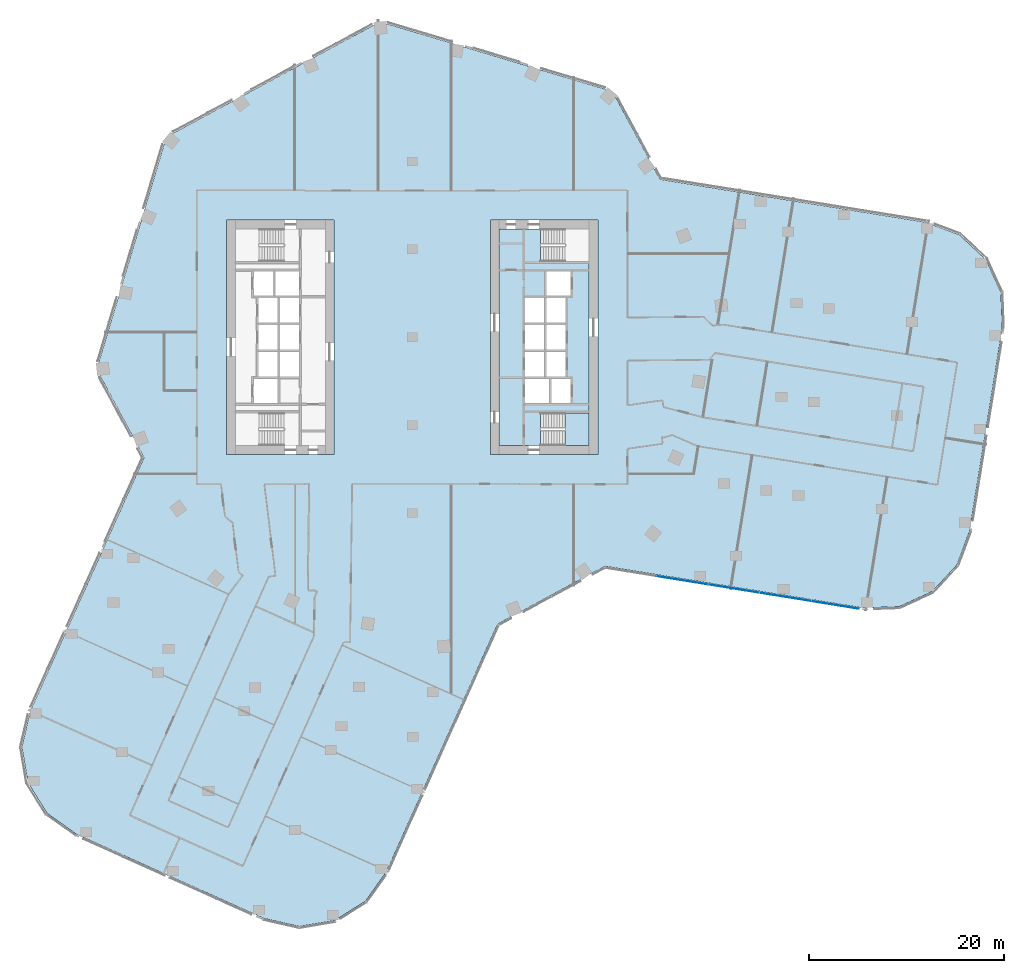
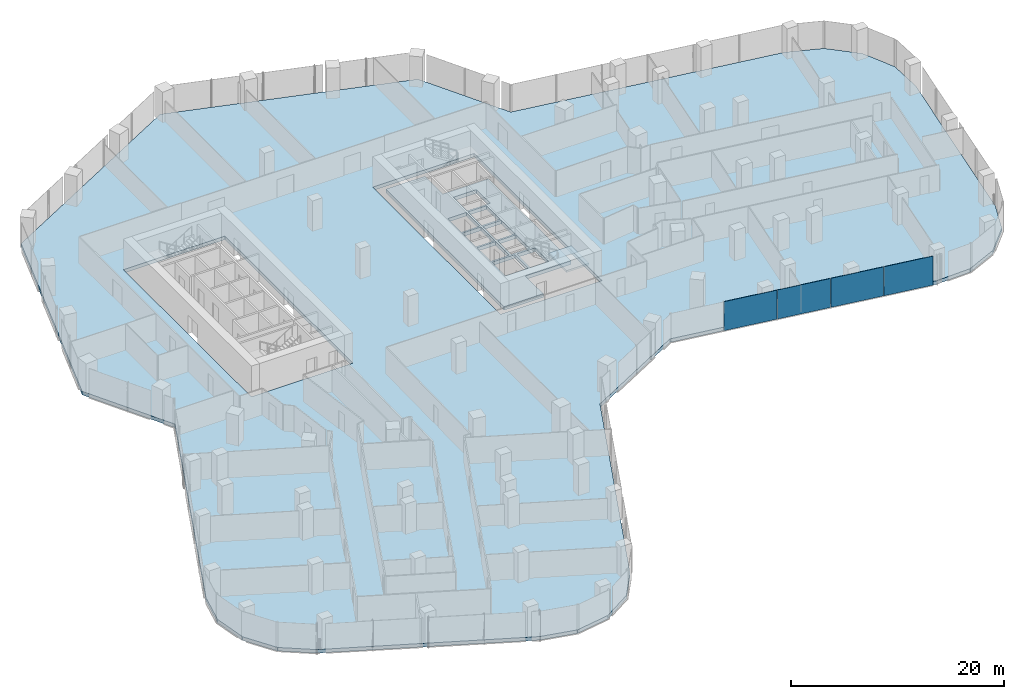
# One storey, part 21 of 34: 4 plates, 3 slabs, 2 elements without a shape of their own.
"""IFC4 building model written with IfcOpenShell, lengths in metres."""

from ifc_helpers import new_model, si_unit, direction, frame, origin, origin_2d, place, context, subcontext, project, spatial, polyline, rectangle, outline, extrude, material, layer, layer_set, type_object, element, aggregate, save


model = new_model("IFC4")

# Units and contexts
model_context = context("Model", 3, precision=1e-05, world=origin(), true_north=direction((0.0, 1.0)))
body_context = subcontext(model_context, "Body", "Model", "MODEL_VIEW")
ifc_project = project(units=[si_unit("LENGTHUNIT", "METRE"), si_unit("AREAUNIT", "SQUARE_METRE"), si_unit("VOLUMEUNIT", "CUBIC_METRE"), si_unit("PLANEANGLEUNIT", "RADIAN"), si_unit("MASSUNIT", "GRAM", prefix="KILO")], contexts=[model_context])

# Site, building, storey
site_placement = place(None, origin())
site = spatial("IfcSite", under=ifc_project, at=site_placement, CompositionType="ELEMENT")
building_placement = place(site_placement, origin())
building = spatial("IfcBuilding", under=site, at=building_placement, Name="Orlundy Tower", CompositionType="ELEMENT")
storey_placement = place(building_placement, frame((0.0, 0.0, 134.199951171875)))
storey = spatial("IfcBuildingStorey", under=building, at=storey_placement, Name="L34", CompositionType="ELEMENT", Elevation=134.199951171875)

# Curtain wall, plates
ifc_material_1 = material(Name="Aluminium bronze anodised", Category="aluminium")
curtain_wall_type = type_object("IfcCurtainWallType", Name="CW1 wall", PredefinedType="NOTDEFINED", material=ifc_material_1)
curtain_wall_placement = place(storey_placement, origin())
curtain_wall = element("IfcCurtainWall", 1, at=curtain_wall_placement, inside=storey, type_object=curtain_wall_type, Name="CW1 run 016", PredefinedType="NOTDEFINED")
ifc_material_2 = material(Name="Tinted glass", Category="glass")
ifc_layer_1 = layer(ifc_material_2, 0.031982421875)
ifc_layer_set_1 = layer_set([ifc_layer_1], Name="CW1 glass panel 32")
plate_type = type_object("IfcPlateType", Name="CW1 glass panel 32", PredefinedType="CURTAIN_PANEL", material=ifc_layer_set_1)
plate_1_placement = place(storey_placement, frame((43.31005859375, -27.413818359375, -0.280029296875), z_axis=(0.0, 0.0, 1.0), x_axis=(-0.987228432558, 0.159311085453, 0.0)))
plate_1 = element("IfcPlate", 2, at=plate_1_placement, type_object=plate_type, Name="CW1 panel", PredefinedType="CURTAIN_PANEL", context=body_context, shape_type="SweptSolid", body=[
    extrude(rectangle(XDim=4.91259765625, YDim=0.031982421875, at=origin_2d()), origin(), (0.0, 0.0, 1.0), 3.330078125),
])
plate_2_placement = place(storey_placement, frame((38.21630859375, -26.591796875, -0.280029296875), z_axis=(0.0, 0.0, 1.0), x_axis=(-0.987228432558, 0.159311085453, 0.0)))
plate_2 = element("IfcPlate", 3, at=plate_2_placement, type_object=plate_type, Name="CW1 panel", PredefinedType="CURTAIN_PANEL", context=body_context, shape_type="SweptSolid", body=[
    extrude(rectangle(XDim=5.306884765625, YDim=0.031982421875, at=origin_2d()), origin(), (0.0, 0.0, 1.0), 3.330078125),
])
plate_3_placement = place(storey_placement, frame((32.927978515625, -25.738525390625, -0.280029296875), z_axis=(0.0, 0.0, 1.0), x_axis=(-0.987228432558, 0.159311085453, 0.0)))
plate_3 = element("IfcPlate", 4, at=plate_3_placement, type_object=plate_type, Name="CW1 panel", PredefinedType="CURTAIN_PANEL", context=body_context, shape_type="SweptSolid", body=[
    extrude(rectangle(XDim=5.306884765625, YDim=0.031982421875, at=origin_2d()), origin(), (0.0, 0.0, 1.0), 3.330078125),
])
plate_4_placement = place(storey_placement, frame((27.639404296875, -24.885009765625, -0.280029296875), z_axis=(0.0, 0.0, 1.0), x_axis=(-0.987228432558, 0.159311085453, 0.0)))
plate_4 = element("IfcPlate", 5, at=plate_4_placement, type_object=plate_type, Name="CW1 panel", PredefinedType="CURTAIN_PANEL", context=body_context, shape_type="SweptSolid", body=[
    extrude(rectangle(XDim=5.306884765625, YDim=0.031982421875, at=origin_2d()), origin(), (0.0, 0.0, 1.0), 3.330078125),
])
aggregate(curtain_wall, [plate_1, plate_2, plate_3, plate_4])

# Slab
ifc_material_3 = material(Name="Concrete C50/60", Category="concrete")
ifc_layer_2 = layer(ifc_material_3, 0.409912109375)
ifc_layer_set_2 = layer_set([ifc_layer_2], Name="Core Floor Slab 410")
slab_type_1 = type_object("IfcSlabType", Name="Core Floor Slab 410", PredefinedType="FLOOR", material=ifc_layer_set_2)
slab_1_placement = place(storey_placement, frame((0.0, 0.0, -0.409912109375)))
element("IfcSlab", 6, at=slab_1_placement, inside=storey, type_object=slab_type_1, Name="Core floor E26", PredefinedType="FLOOR", context=body_context, shape_type="SweptSolid", body=[
    extrude(outline(polyline([(13.14501953125, -7.75), (13.14501953125, -11.10009765625), (8.89990234375, -11.10009765625), (8.89990234375, 11.10009765625), (13.14501953125, 11.10009765625), (13.14501953125, 7.75), (18.10009765625, 7.75), (18.10009765625, -7.75), (13.14501953125, -7.75)]), holes=[polyline([(16.239990234375, 6.77490234375), (13.739990234375, 6.77490234375), (13.739990234375, 4.22509765625), (16.239990234375, 4.22509765625), (16.239990234375, 6.77490234375)]), polyline([(13.5400390625, 1.47509765625), (13.5400390625, 4.02490234375), (11.5400390625, 4.02490234375), (11.5400390625, 1.47509765625), (13.5400390625, 1.47509765625)]), polyline([(13.739990234375, 1.47509765625), (15.739990234375, 1.47509765625), (15.739990234375, 4.02490234375), (13.739990234375, 4.02490234375), (13.739990234375, 1.47509765625)]), polyline([(11.5400390625, 1.27490234375), (11.5400390625, -1.27490234375), (13.5400390625, -1.27490234375), (13.5400390625, 1.27490234375), (11.5400390625, 1.27490234375)]), polyline([(15.739990234375, 1.27490234375), (13.739990234375, 1.27490234375), (13.739990234375, -1.27490234375), (15.739990234375, -1.27490234375), (15.739990234375, 1.27490234375)]), polyline([(13.5400390625, -4.02490234375), (13.5400390625, -1.47509765625), (11.5400390625, -1.47509765625), (11.5400390625, -4.02490234375), (13.5400390625, -4.02490234375)]), polyline([(13.739990234375, -4.02490234375), (15.739990234375, -4.02490234375), (15.739990234375, -1.47509765625), (13.739990234375, -1.47509765625), (13.739990234375, -4.02490234375)]), polyline([(11.5400390625, -4.22509765625), (11.5400390625, -6.77490234375), (14.0400390625, -6.77490234375), (14.0400390625, -4.22509765625), (11.5400390625, -4.22509765625)]), polyline([(16.239990234375, -4.22509765625), (14.239990234375, -4.22509765625), (14.239990234375, -6.77490234375), (16.239990234375, -6.77490234375), (16.239990234375, -4.22509765625)])]), origin(), (0.0, 0.0, 1.0), 0.409912109375),
])

# Stair, slab
ifc_material_4 = material(Name="Concrete C50/60", Category="concrete")
stair_type = type_object("IfcStairType", Name="Exit Stair 20 risers", PredefinedType="HALF_TURN_STAIR", material=ifc_material_4)
stair_placement = place(storey_placement, origin())
stair = element("IfcStair", 7, at=stair_placement, inside=storey, type_object=stair_type, Name="L34 Exit Stair ST-E1", PredefinedType="HALF_TURN_STAIR")
ifc_material_5 = material(Name="Concrete C50/60", Category="concrete")
ifc_layer_3 = layer(ifc_material_5, 0.199951171875)
ifc_layer_set_3 = layer_set([ifc_layer_3], Name="Exit Stair Landing")
slab_type_2 = type_object("IfcSlabType", Name="Exit Stair Landing", PredefinedType="LANDING", material=ifc_layer_set_3)
slab_2_placement = place(storey_placement, frame((0.0, 0.0, 1.550048828125)))
slab_2 = element("IfcSlab", 8, at=slab_2_placement, type_object=slab_type_2, Name="ST-E1 landing 1", PredefinedType="LANDING", context=body_context, shape_type="SweptSolid", body=[
    extrude(outline(polyline([(15.659912109375, -11.10009765625), (18.10009765625, -11.10009765625), (18.10009765625, -7.75), (15.659912109375, -7.75), (15.659912109375, -11.10009765625)])), origin(), (0.0, 0.0, 1.0), 0.199951171875),
])
aggregate(stair, [slab_2])

# Slab
ifc_material_6 = material(Name="Concrete C45/55", Category="concrete")
ifc_layer_4 = layer(ifc_material_6, 0.39990234375)
ifc_layer_set_4 = layer_set([ifc_layer_4], Name="FLOOR SLAB THICK 400 C45/55")
slab_type_3 = type_object("IfcSlabType", Name="FLOOR SLAB THICK 400 C45/55", PredefinedType="FLOOR", material=ifc_layer_set_4)
slab_3_placement = place(storey_placement, frame((0.0, 0.0, -0.39990234375)))
element("IfcSlab", 9, at=slab_3_placement, inside=storey, type_object=slab_type_3, Name="Floor slab L34", PredefinedType="FLOOR", context=body_context, shape_type="SweptSolid", body=[
    extrude(outline(polyline([(-27.445068359375, -12.31103515625), (-32.303955078125, -3.300048828125), (-25.176025390625, 20.508056640625), (-3.300048828125, 32.303955078125), (20.508056640625, 25.176025390625), (25.366943359375, 16.1650390625), (52.548095703125, 11.779052734375), (56.02099609375, 10.486083984375), (58.736083984375, 7.9619140625), (60.278076171875, 4.591064453125), (60.4130859375, 0.886962890625), (57.06689453125, -19.844970703125), (55.77392578125, -23.319091796875), (53.25, -26.032958984375), (49.8798828125, -27.574951171875), (46.175048828125, -27.7099609375), (19.73291015625, -23.443115234375), (8.742919921875, -29.368896484375), (-2.632080078125, -54.718017578125), (-4.780029296875, -57.739013671875), (-7.9208984375, -59.7080078125), (-11.575927734375, -60.324951171875), (-15.18798828125, -59.49609375), (-34.347900390625, -50.89892578125), (-37.368896484375, -48.7509765625), (-39.337890625, -45.610107421875), (-39.955078125, -41.955078125), (-39.1259765625, -38.342041015625), (-27.445068359375, -12.31103515625)]), holes=[polyline([(-8.0, -12.0), (-8.0, 12.0), (-19.0, 12.0), (-19.0, -12.0), (-8.0, -12.0)]), polyline([(19.0, -12.0), (19.0, 12.0), (8.0, 12.0), (8.0, -12.0), (19.0, -12.0)])]), origin(), (0.0, 0.0, 1.0), 0.39990234375),
])

save(model, "model.ifc")
